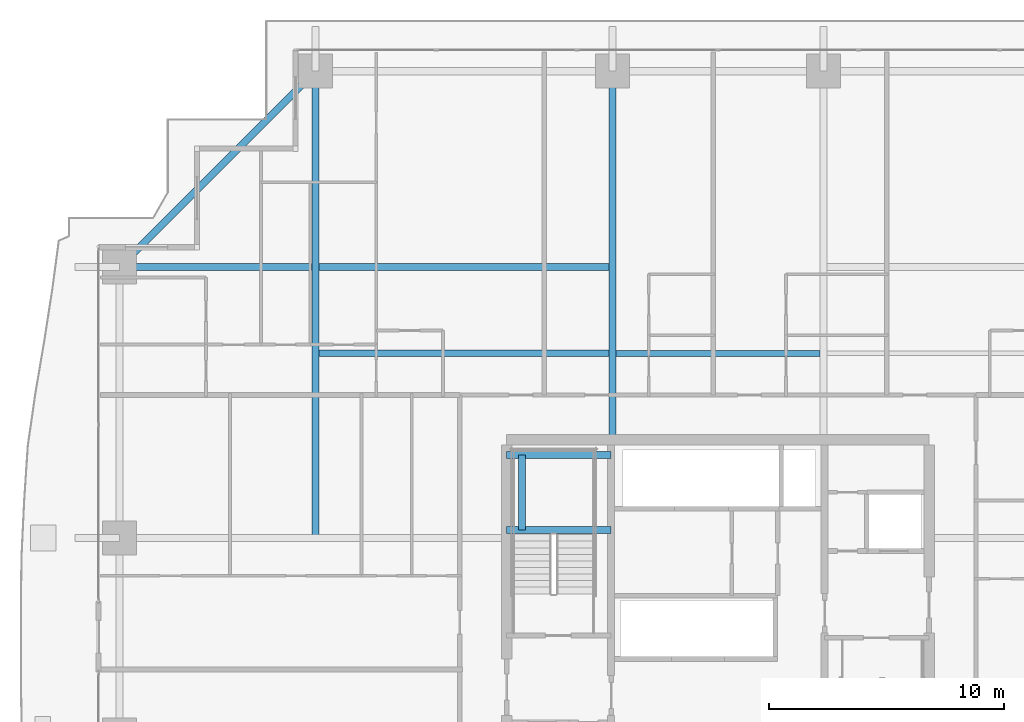
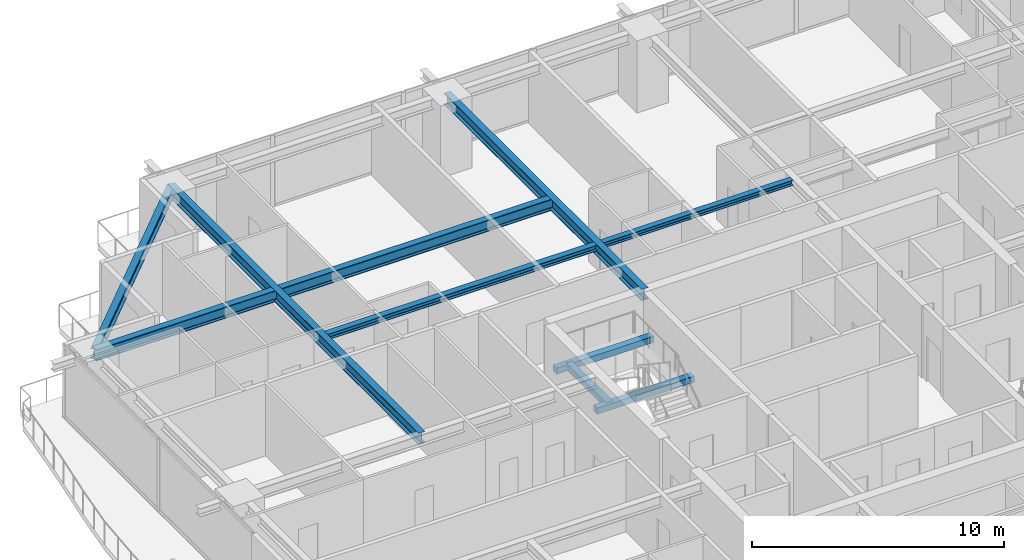
# One storey, part 19 of 41: 9 beams.
"""IFC4 building model written with IfcOpenShell, lengths in metres."""

import ifcopenshell
import ifcopenshell.guid

model = None  # the IFC model being written
_history = None  # IfcOwnerHistory: only IFC2X3 demands one
_inside = {}  # id of a spatial element -> (the spatial element, [elements in it])
_under = {}  # id of a project, library or spatial element -> (it, [spatial elements below it])
_declared = {}  # id of a project -> (the project, [libraries it declares])
_typed = {}  # id of a type object -> (the type object, [elements of that type])
_made_of = {}  # id of a material, layer set ... -> (it, [elements and type objects made of it])


def new_model(schema):
    """Start an empty IFC model of exactly this schema.

    Asked for "IFC4X3", IfcOpenShell would pick the latest addendum, in which some entities
    have other attributes; the version numbers below select the first issue.
    IFC2X3 requires an IfcOwnerHistory on every rooted entity: one is made here for all.
    """
    global model, _history
    if schema == "IFC4X3":
        model = ifcopenshell.file(schema_version=(4, 3, 0, 0))
    else:
        model = ifcopenshell.file(schema=schema)
    _inside.clear()
    _under.clear()
    _declared.clear()
    _typed.clear()
    _made_of.clear()
    _history = None
    if model.schema == "IFC2X3":
        org = make("IfcOrganization", Name="unknown")
        user = make(
            "IfcPersonAndOrganization",
            ThePerson=make("IfcPerson", FamilyName="unknown"),
            TheOrganization=org,
        )
        app = make(
            "IfcApplication",
            ApplicationDeveloper=org,
            Version="unknown",
            ApplicationFullName="unknown",
            ApplicationIdentifier="unknown",
        )
        _history = make(
            "IfcOwnerHistory",
            OwningUser=user,
            OwningApplication=app,
            ChangeAction="ADDED",
            CreationDate=0,
        )
    return model


def make(cls, **values):
    """One entity of the class cls with the attributes given. An attribute that is None is left unset."""
    return model.create_entity(
        cls, **{name: value for name, value in values.items() if value is not None}
    )


def rooted(cls, **values):
    """An entity with a GlobalId (a new one), such as an element, a storey or a relation."""
    return make(cls, GlobalId=ifcopenshell.guid.new(), OwnerHistory=_history, **values)


def si_unit(unit_type, name, prefix=None):
    """IfcSIUnit, for example si_unit("LENGTHUNIT", "METRE", prefix="MILLI")."""
    return make("IfcSIUnit", UnitType=unit_type, Prefix=prefix, Name=name)


def assignment(units):
    """IfcUnitAssignment: the units of a project."""
    return None if units is None else make("IfcUnitAssignment", Units=units)


def point(xyz):
    """IfcCartesianPoint."""
    return None if xyz is None else make("IfcCartesianPoint", Coordinates=xyz)


def direction(xyz):
    """IfcDirection."""
    return None if xyz is None else make("IfcDirection", DirectionRatios=xyz)


def frame(location, z_axis=None, x_axis=None):
    """IfcAxis2Placement3D, a coordinate frame: its origin and axes. An axis left out is left unset."""
    return make(
        "IfcAxis2Placement3D",
        Location=point(location),
        Axis=direction(z_axis),
        RefDirection=direction(x_axis),
    )


def frame_2d(location, x_axis=None):
    """IfcAxis2Placement2D, a coordinate frame in the plane: its origin and x axis."""
    return make(
        "IfcAxis2Placement2D", Location=point(location), RefDirection=direction(x_axis)
    )


def origin():
    """The frame at (0, 0, 0) with its axes left unset."""
    return frame((0.0, 0.0, 0.0))


def origin_2d():
    """The frame at (0, 0) in the plane with its x axis left unset."""
    return frame_2d((0.0, 0.0))


def place(relative_to, where):
    """IfcLocalPlacement: puts the frame where relative to a parent placement (None: the world)."""
    return make(
        "IfcLocalPlacement", PlacementRelTo=relative_to, RelativePlacement=where
    )


def context(
    kind, dimensions, precision=None, world=None, true_north=None, identifier=None
):
    """IfcGeometricRepresentationContext, for example the 3D "Model" context."""
    return make(
        "IfcGeometricRepresentationContext",
        ContextIdentifier=identifier,
        ContextType=kind,
        CoordinateSpaceDimension=dimensions,
        Precision=precision,
        WorldCoordinateSystem=world,
        TrueNorth=true_north,
    )


def subcontext(parent, identifier, kind, view, scale=None):
    """IfcGeometricRepresentationSubContext, for example "Body" below "Model"."""
    return make(
        "IfcGeometricRepresentationSubContext",
        ContextIdentifier=identifier,
        ContextType=kind,
        ParentContext=parent,
        TargetScale=scale,
        TargetView=view,
    )


def project(units=None, contexts=None):
    """IfcProject with its units and contexts."""
    return rooted(
        "IfcProject",
        Name="project",
        RepresentationContexts=contexts,
        UnitsInContext=assignment(units),
    )


def spatial(cls, under=None, at=None, **own):
    """A site, building, storey or space (cls), placed at a placement, below another one or the project."""
    s = rooted(cls, ObjectPlacement=at, **own)
    if under is not None:
        _under.setdefault(under.id(), (under, []))[1].append(s)
    return s


def profile(cls, at=None, kind="AREA", **sizes):
    """A parametric profile (cls). Its sizes go by their IFC names, for example OverallWidth=200.0."""
    return make(cls, ProfileType=kind, Position=at, **sizes)


def rectangle(**sizes):
    """IfcRectangleProfileDef."""
    return profile("IfcRectangleProfileDef", **sizes)


def i_section(**sizes):
    """IfcIShapeProfileDef."""
    return profile("IfcIShapeProfileDef", **sizes)


def extrude(swept, where, along, depth):
    """IfcExtrudedAreaSolid: the profile swept, set in the frame where, extruded along a direction by depth."""
    return make(
        "IfcExtrudedAreaSolid",
        SweptArea=swept,
        Position=where,
        ExtrudedDirection=direction(along),
        Depth=depth,
    )


def shape(context_of_items, identifier, shape_type, items):
    """IfcShapeRepresentation: the items that make up one representation, for example the "Body"."""
    return make(
        "IfcShapeRepresentation",
        ContextOfItems=context_of_items,
        RepresentationIdentifier=identifier,
        RepresentationType=shape_type,
        Items=items,
    )


def source(mapping_origin, context_of_items, identifier, shape_type, items):
    """IfcRepresentationMap: a shape defined once, which mapped items show again and again."""
    return make(
        "IfcRepresentationMap",
        MappingOrigin=mapping_origin,
        MappedRepresentation=shape(context_of_items, identifier, shape_type, items),
    )


def transform(
    local_origin,
    x_axis=None,
    y_axis=None,
    z_axis=None,
    scale=None,
    scale2=None,
    scale3=None,
    uniform=True,
):
    """IfcCartesianTransformationOperator3D, or its non-uniform kind. x_axis, y_axis, z_axis: its Axis1, 2, 3."""
    if uniform:
        return make(
            "IfcCartesianTransformationOperator3D",
            Axis1=direction(x_axis),
            Axis2=direction(y_axis),
            LocalOrigin=point(local_origin),
            Scale=scale,
            Axis3=direction(z_axis),
        )
    return make(
        "IfcCartesianTransformationOperator3DnonUniform",
        Axis1=direction(x_axis),
        Axis2=direction(y_axis),
        LocalOrigin=point(local_origin),
        Scale=scale,
        Axis3=direction(z_axis),
        Scale2=scale2,
        Scale3=scale3,
    )


def mapped(mapping_source, mapping_target):
    """IfcMappedItem: shows the shape of a source again, moved by a transform."""
    return make(
        "IfcMappedItem", MappingSource=mapping_source, MappingTarget=mapping_target
    )


def material(Name=None, Category=None):
    """IfcMaterial."""
    return make("IfcMaterial", Name=Name, Category=Category)


def material_profile(
    of_material, cross_section, Name=None, Category=None, Priority=None
):
    """IfcMaterialProfile: a cross section and its material."""
    return make(
        "IfcMaterialProfile",
        Name=Name,
        Material=of_material,
        Profile=cross_section,
        Priority=Priority,
        Category=Category,
    )


def profile_set(profiles, Name=None, composite=None):
    """IfcMaterialProfileSet."""
    return make(
        "IfcMaterialProfileSet",
        Name=Name,
        MaterialProfiles=profiles,
        CompositeProfile=composite,
    )


def made_of(thing, what):
    """Note that an element or type object is made of a material, layer set ...; save() writes the relation."""
    if what is not None:
        _made_of.setdefault(what.id(), (what, []))[1].append(thing)
    return thing


def type_object(cls, material=None, **own):
    """A type object (cls), such as IfcWallType, which elements share."""
    return made_of(rooted(cls, **own), material)


def element(
    cls,
    number,
    at=None,
    inside=None,
    cuts=None,
    type_object=None,
    material=None,
    context=None,
    identifier="Body",
    shape_type=None,
    held_by="IfcProductDefinitionShape",
    body=None,
    shapes=None,
    **own,
):
    """One element of the class cls, such as IfcWall. Its Tag is "e" and its number.

    at: its placement. inside: the storey or other place that contains it. cuts: it is an
    opening in that element (IfcRelVoidsElement). A single representation is given by context,
    identifier, shape_type and body (its items); several are given by shapes. held_by: the class
    of the entity that holds the representations. save() writes the other relations.
    """
    e = rooted(cls, Tag="e%d" % number, ObjectPlacement=at, **own)
    if body is not None:
        shapes = [shape(context, identifier, shape_type, body)]
    if shapes is not None:
        e.Representation = make(held_by, Representations=shapes)
    if inside is not None:
        _inside.setdefault(inside.id(), (inside, []))[1].append(e)
    if cuts is not None:
        rooted(
            "IfcRelVoidsElement", RelatingBuildingElement=cuts, RelatedOpeningElement=e
        )
    if type_object is not None:
        _typed.setdefault(type_object.id(), (type_object, []))[1].append(e)
    return made_of(e, material)


def aggregate(whole, parts):
    """IfcRelAggregates: a whole, such as a stair, and the parts it consists of."""
    return rooted("IfcRelAggregates", RelatingObject=whole, RelatedObjects=parts)


def save(model, path):
    """Write the relations noted so far, then the file.

    IfcRelAggregates (storeys below a building ...), IfcRelContainedInSpatialStructure (elements
    in a storey), IfcRelDefinesByType, IfcRelAssociatesMaterial and IfcRelDeclares: one each for
    every whole, place, type object, material and project.
    """
    for whole, parts in _under.values():
        aggregate(whole, parts)
    for where, things in _inside.values():
        rooted(
            "IfcRelContainedInSpatialStructure",
            RelatedElements=things,
            RelatingStructure=where,
        )
    for kind, things in _typed.values():
        rooted("IfcRelDefinesByType", RelatedObjects=things, RelatingType=kind)
    for what, things in _made_of.values():
        rooted("IfcRelAssociatesMaterial", RelatedObjects=things, RelatingMaterial=what)
    for by, libraries in _declared.values():
        rooted("IfcRelDeclares", RelatingContext=by, RelatedDefinitions=libraries)
    model.write(path)


model = new_model("IFC4")

# Units and contexts
model_context = context("Model", 3, precision=1e-05, world=origin(), true_north=direction((0.0, 1.0)))
body_context = subcontext(model_context, "Body", "Model", "MODEL_VIEW")
ifc_project = project(units=[si_unit("LENGTHUNIT", "METRE"), si_unit("AREAUNIT", "SQUARE_METRE"), si_unit("VOLUMEUNIT", "CUBIC_METRE"), si_unit("PLANEANGLEUNIT", "RADIAN"), si_unit("MASSUNIT", "GRAM", prefix="KILO")], contexts=[model_context])

# Site, building, storey
site_placement = place(None, origin())
site = spatial("IfcSite", under=ifc_project, at=site_placement, CompositionType="ELEMENT")
building_placement = place(site_placement, origin())
building = spatial("IfcBuilding", under=site, at=building_placement, Name="Serunith Strait Residences", CompositionType="ELEMENT")
storey_placement = place(building_placement, frame((0.0, 0.0, 45.449951171875)))
storey = spatial("IfcBuildingStorey", under=building, at=storey_placement, Name="L10", CompositionType="ELEMENT", Elevation=45.449951171875)

# Beams
ifc_material_1 = material(Name="Steel S355J2", Category="steel")
ifc_material_profile_1 = material_profile(ifc_material_1, i_section(OverallWidth=0.300048828125, OverallDepth=0.550048828125, WebThickness=0.014892578125, FlangeThickness=0.029052734375, FilletRadius=0.027099609375, at=origin_2d()), Name="HEB 550")
ifc_profile_set_1 = profile_set([ifc_material_profile_1], Name="Steel S355J2")
beam_type_1 = type_object("IfcBeamType", Name="BM-HEB550", PredefinedType="BEAM", material=ifc_profile_set_1)
shared_shape_1 = source(origin(), body_context, "Body", "SweptSolid", [
    extrude(i_section(OverallWidth=0.300048828125, OverallDepth=0.550048828125, WebThickness=0.014892578125, FlangeThickness=0.029052734375, FilletRadius=0.027099609375, at=origin_2d()), origin(), (0.0, 0.0, 1.0), 15.699951171875),
])
beam_1_placement = place(storey_placement, frame((27.89990234375, 33.60009765625, 3.212158203125), z_axis=(0.0, 1.0, 0.0), x_axis=(-1.0, 0.0, 0.0)))
element("IfcBeam", 1, at=beam_1_placement, inside=storey, type_object=beam_type_1, Name="L10 Primary Floor Girder TC-N2", PredefinedType="BEAM", context=body_context, shape_type="MappedRepresentation", body=[
    mapped(shared_shape_1, transform((0.0, 0.0, 0.0), scale=1.0)),
])
shared_shape_2 = source(origin(), body_context, "Body", "SweptSolid", [
    extrude(i_section(OverallWidth=0.300048828125, OverallDepth=0.550048828125, WebThickness=0.014892578125, FlangeThickness=0.029052734375, FilletRadius=0.027099609375, at=origin_2d()), origin(), (0.0, 0.0, 1.0), 19.900146484375),
])
beam_2_placement = place(storey_placement, frame((15.25, 29.39990234375, 3.212158203125), z_axis=(0.0, 1.0, 0.0), x_axis=(-1.0, 0.0, 0.0)))
element("IfcBeam", 2, at=beam_2_placement, inside=storey, type_object=beam_type_1, Name="L10 Orthogonal Corner Girder TC-N1", PredefinedType="BEAM", context=body_context, shape_type="MappedRepresentation", body=[
    mapped(shared_shape_2, transform((0.0, 0.0, 0.0), scale=1.0)),
])
shared_shape_3 = source(origin(), body_context, "Body", "SweptSolid", [
    extrude(i_section(OverallWidth=0.300048828125, OverallDepth=0.550048828125, WebThickness=0.014892578125, FlangeThickness=0.029052734375, FilletRadius=0.027099609375, at=origin_2d()), origin(), (0.0, 0.0, 1.0), 21.0),
])
beam_3_placement = place(storey_placement, frame((27.89990234375, 40.949951171875, 3.212158203125), z_axis=(-1.0, 0.0, 0.0), x_axis=(0.0, -1.0, 0.0)))
element("IfcBeam", 3, at=beam_3_placement, inside=storey, type_object=beam_type_1, Name="L10 Orthogonal Corner Girder TC-W4", PredefinedType="BEAM", context=body_context, shape_type="MappedRepresentation", body=[
    mapped(shared_shape_3, transform((0.0, 0.0, 0.0), scale=1.0)),
])
ifc_material_profile_2 = material_profile(ifc_material_1, i_section(OverallWidth=0.300048828125, OverallDepth=0.5, WebThickness=0.014404296875, FlangeThickness=0.028076171875, FilletRadius=0.027099609375, at=origin_2d()), Name="HEB 500")
ifc_profile_set_2 = profile_set([ifc_material_profile_2], Name="Steel S355J2")
beam_type_2 = type_object("IfcBeamType", Name="BM-HEB500", PredefinedType="BEAM", material=ifc_profile_set_2)
shared_shape_4 = source(origin(), body_context, "Body", "SweptSolid", [
    extrude(i_section(OverallWidth=0.300048828125, OverallDepth=0.5, WebThickness=0.014404296875, FlangeThickness=0.028076171875, FilletRadius=0.027099609375, at=origin_2d()), origin(), (0.0, 0.0, 1.0), 11.808837890625),
])
beam_4_placement = place(storey_placement, frame((15.25, 49.300048828125, 3.20703125), z_axis=(-0.707106781187, -0.707106781187, 0.0), x_axis=(0.707106781187, -0.707106781187, 0.0)))
element("IfcBeam", 4, at=beam_4_placement, inside=storey, type_object=beam_type_2, Name="L10 Perimeter Ring Beam 12", PredefinedType="BEAM", context=body_context, shape_type="MappedRepresentation", body=[
    mapped(shared_shape_4, transform((0.0, 0.0, 0.0), scale=1.0)),
])
ifc_material_profile_3 = material_profile(ifc_material_1, i_section(OverallWidth=0.280029296875, OverallDepth=0.280029296875, WebThickness=0.010498046875, FlangeThickness=0.01806640625, FilletRadius=0.02392578125, at=origin_2d()), Name="HEB 280")
ifc_profile_set_3 = profile_set([ifc_material_profile_3], Name="Steel S355J2")
beam_type_3 = type_object("IfcBeamType", Name="BM-HEB280", PredefinedType="JOIST", material=ifc_profile_set_3)
shared_shape_5 = source(origin(), body_context, "Body", "SweptSolid", [
    extrude(i_section(OverallWidth=0.280029296875, OverallDepth=0.280029296875, WebThickness=0.010498046875, FlangeThickness=0.01806640625, FilletRadius=0.02392578125, at=origin_2d()), origin(), (0.0, 0.0, 1.0), 12.35009765625),
])
beam_5_placement = place(storey_placement, frame((15.39990234375, 37.27490234375, 3.34716796875), z_axis=(1.0, 0.0, 0.0), x_axis=(0.0, 1.0, 0.0)))
element("IfcBeam", 5, at=beam_5_placement, inside=storey, type_object=beam_type_3, Name="L10 Composite Floor Joist 04", PredefinedType="JOIST", context=body_context, shape_type="MappedRepresentation", body=[
    mapped(shared_shape_5, transform((0.0, 0.0, 0.0), scale=1.0)),
])
ifc_material_profile_4 = material_profile(ifc_material_1, i_section(OverallWidth=0.260009765625, OverallDepth=0.260009765625, WebThickness=0.010009765625, FlangeThickness=0.017578125, FilletRadius=0.02392578125, at=origin_2d()), Name="HEB 260")
ifc_profile_set_4 = profile_set([ifc_material_profile_4], Name="Steel S355J2")
beam_type_4 = type_object("IfcBeamType", Name="BM-HEB260", PredefinedType="JOIST", material=ifc_profile_set_4)
shared_shape_6 = source(origin(), body_context, "Body", "SweptSolid", [
    extrude(i_section(OverallWidth=0.260009765625, OverallDepth=0.260009765625, WebThickness=0.010009765625, FlangeThickness=0.017578125, FilletRadius=0.02392578125, at=origin_2d()), origin(), (0.0, 0.0, 1.0), 8.699951171875),
])
beam_6_placement = place(storey_placement, frame((28.050048828125, 37.27490234375, 3.35693359375), z_axis=(1.0, 0.0, 0.0), x_axis=(0.0, 1.0, 0.0)))
element("IfcBeam", 6, at=beam_6_placement, inside=storey, type_object=beam_type_4, Name="L10 Composite Floor Joist 05", PredefinedType="JOIST", context=body_context, shape_type="MappedRepresentation", body=[
    mapped(shared_shape_6, transform((0.0, 0.0, 0.0), scale=1.0)),
])
ifc_material_2 = material(Name="Concrete C60/75", Category="concrete")
ifc_material_profile_5 = material_profile(ifc_material_2, rectangle(XDim=0.300048828125, YDim=0.300048828125, at=origin_2d()), Name="RC 300x300")
ifc_profile_set_5 = profile_set([ifc_material_profile_5], Name="Concrete C60/75")
beam_type_5 = type_object("IfcBeamType", Name="BM-LAND-300x300", PredefinedType="BEAM", material=ifc_profile_set_5)
shared_shape_7 = source(origin(), body_context, "Body", "SweptSolid", [
    extrude(rectangle(XDim=0.300048828125, YDim=0.300048828125, at=origin_2d()), origin(), (0.0, 0.0, 1.0), 4.4501953125),
])
for number, where, z_axis, x_axis, name in (
    (7, (23.39990234375, 29.75, 1.525146484375), (1.0, 0.0, 0.0), (0.0, 1.0, 0.0), "L10 ST-1 Landing Support Beam 1"),
    (8, (23.39990234375, 32.949951171875, 1.525146484375), (1.0, 0.0, 0.0), (0.0, 1.0, 0.0), "L10 ST-1 Landing Support Beam 2"),
):
    element("IfcBeam", number, at=place(storey_placement, frame(where, z_axis=z_axis, x_axis=x_axis)), inside=storey, type_object=beam_type_5, Name=name, PredefinedType="BEAM", context=body_context, shape_type="MappedRepresentation", body=[
        mapped(shared_shape_7, transform((0.0, 0.0, 0.0), scale=1.0)),
    ])
shared_shape_8 = source(origin(), body_context, "Body", "SweptSolid", [
    extrude(rectangle(XDim=0.300048828125, YDim=0.300048828125, at=origin_2d()), origin(), (0.0, 0.0, 1.0), 3.199951171875),
])
beam_7_placement = place(storey_placement, frame((24.050048828125, 29.75, 1.525146484375), z_axis=(0.0, 1.0, 0.0), x_axis=(-1.0, 0.0, 0.0)))
element("IfcBeam", 9, at=beam_7_placement, inside=storey, type_object=beam_type_5, Name="L10 ST-1 Landing Transverse Tie Beam", PredefinedType="BEAM", context=body_context, shape_type="MappedRepresentation", body=[
    mapped(shared_shape_8, transform((0.0, 0.0, 0.0), scale=1.0)),
])

save(model, "model.ifc")
